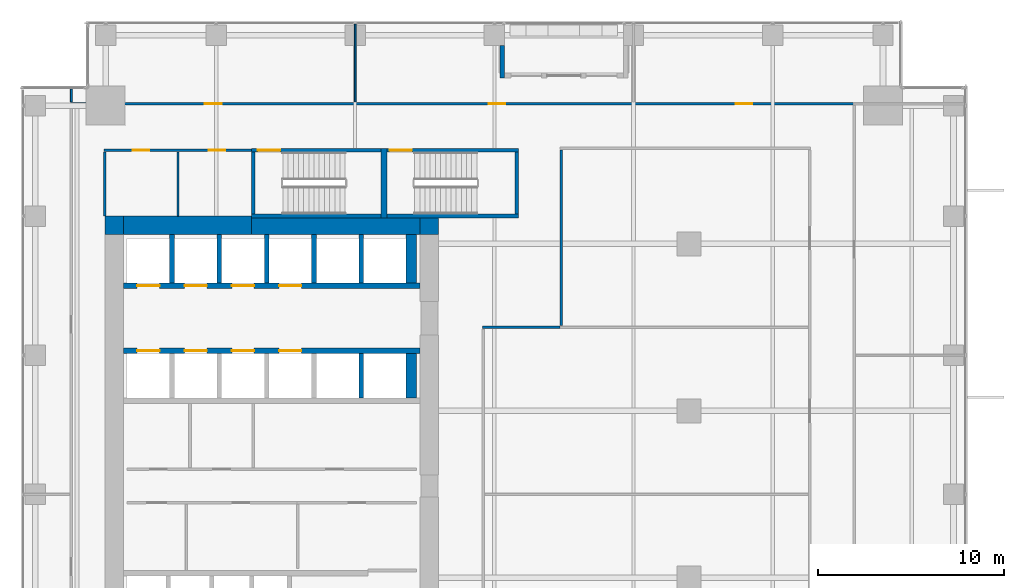
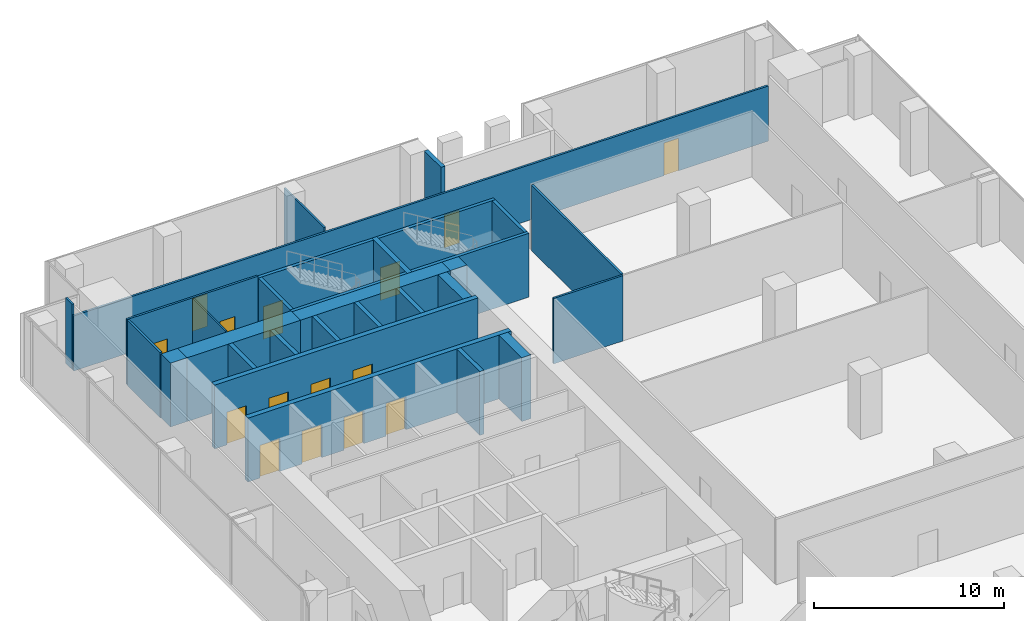
# One storey, part 30 of 34: 30 walls, 15 doors, 15 openings.
"""IFC4 building model written with IfcOpenShell, lengths in metres."""

from ifc_helpers import new_model, si_unit, direction, frame, frame_2d, origin, place, context, subcontext, project, spatial, rectangle, extrude, source, transform, mapped, material, layer, layer_set, type_object, element, fill, save


model = new_model("IFC4")

# Units and contexts
model_context = context("Model", 3, precision=1e-05, world=origin(), true_north=direction((0.0, 1.0)))
body_context = subcontext(model_context, "Body", "Model", "MODEL_VIEW")
ifc_project = project(units=[si_unit("LENGTHUNIT", "METRE"), si_unit("AREAUNIT", "SQUARE_METRE"), si_unit("VOLUMEUNIT", "CUBIC_METRE"), si_unit("PLANEANGLEUNIT", "RADIAN"), si_unit("MASSUNIT", "GRAM", prefix="KILO")], contexts=[model_context])

# Site, building, storey
site_placement = place(None, origin())
site = spatial("IfcSite", under=ifc_project, at=site_placement, CompositionType="ELEMENT")
building_placement = place(site_placement, origin())
building = spatial("IfcBuilding", under=site, at=building_placement, Name="Khomas Fold Tower", CompositionType="ELEMENT")
storey_placement = place(building_placement, frame((0.0, 0.0, 123.5)))
storey = spatial("IfcBuildingStorey", under=building, at=storey_placement, Name="L26", CompositionType="ELEMENT", Elevation=123.5)

# Walls
ifc_material_1 = material(Name="Concrete C70/85", Category="concrete")
ifc_layer_1 = layer(ifc_material_1, 1.0)
ifc_layer_set_1 = layer_set([ifc_layer_1], Name="Concrete C70/85")
wall_type_1 = type_object("IfcWallType", Name="Core wall 1000", PredefinedType="SHEAR", material=ifc_layer_set_1)
shared_shape_1 = source(origin(), body_context, "Body", "SweptSolid", [
    extrude(rectangle(XDim=6.89990234375, YDim=1.0, at=frame_2d((3.449951171875, 0.0))), origin(), (0.0, 0.0, 1.0), 4.10009765625),
])
wall_1_placement = place(storey_placement, frame((7.0, 41.5, 0.0), z_axis=(0.0, 0.0, 1.0), x_axis=(1.0, 0.0, 0.0)))
element("IfcWall", 1, at=wall_1_placement, inside=storey, type_object=wall_type_1, Name="Core wall CW-L-N-L21", PredefinedType="SHEAR", context=body_context, shape_type="MappedRepresentation", body=[
    mapped(shared_shape_1, transform((0.0, 0.0, 0.0))),
])
ifc_material_2 = material(Name="Concrete C70/85", Category="concrete")
ifc_layer_2 = layer(ifc_material_2, 0.89990234375)
ifc_layer_set_2 = layer_set([ifc_layer_2], Name="Concrete C70/85")
wall_type_2 = type_object("IfcWallType", Name="Core wall 900", PredefinedType="SHEAR", material=ifc_layer_set_2)
shared_shape_2 = source(origin(), body_context, "Body", "SweptSolid", [
    extrude(rectangle(XDim=9.10009765625, YDim=0.89990234375, at=frame_2d((4.550048828125, 0.0))), origin(), (0.0, 0.0, 1.0), 4.10009765625),
])
wall_2_placement = place(storey_placement, frame((13.89990234375, 41.449951171875, 0.0), z_axis=(0.0, 0.0, 1.0), x_axis=(1.0, 0.0, 0.0)))
element("IfcWall", 2, at=wall_2_placement, inside=storey, type_object=wall_type_2, Name="Core wall CW-L-N-L21-1", PredefinedType="SHEAR", context=body_context, shape_type="MappedRepresentation", body=[
    mapped(shared_shape_2, transform((0.0, 0.0, 0.0))),
])
ifc_material_3 = material(Name="Concrete C70/85", Category="concrete")
ifc_layer_3 = layer(ifc_material_3, 0.89990234375)
ifc_layer_set_3 = layer_set([ifc_layer_3], Name="Concrete C70/85")
wall_type_3 = type_object("IfcWallType", Name="Core corner wall 900", PredefinedType="SHEAR", material=ifc_layer_set_3)
shared_shape_3 = source(origin(), body_context, "Body", "SweptSolid", [
    extrude(rectangle(XDim=1.0, YDim=0.89990234375, at=frame_2d((0.5, 0.0))), origin(), (0.0, 0.0, 1.0), 4.10009765625),
])
wall_3_placement = place(storey_placement, frame((23.0, 41.449951171875, 0.0), z_axis=(0.0, 0.0, 1.0), x_axis=(1.0, 0.0, 0.0)))
element("IfcWall", 3, at=wall_3_placement, inside=storey, type_object=wall_type_3, Name="Core wall CW-L-NE-L21", PredefinedType="SHEAR", context=body_context, shape_type="MappedRepresentation", body=[
    mapped(shared_shape_3, transform((0.0, 0.0, 0.0))),
])
ifc_material_4 = material(Name="Concrete C70/85", Category="concrete")
ifc_layer_4 = layer(ifc_material_4, 1.0)
ifc_layer_set_4 = layer_set([ifc_layer_4], Name="Concrete C70/85")
wall_type_4 = type_object("IfcWallType", Name="Core corner wall 1000", PredefinedType="SHEAR", material=ifc_layer_set_4)
shared_shape_4 = source(origin(), body_context, "Body", "SweptSolid", [
    extrude(rectangle(XDim=1.0, YDim=1.0, at=frame_2d((0.5, 0.0))), origin(), (0.0, 0.0, 1.0), 4.10009765625),
])
wall_4_placement = place(storey_placement, frame((6.0, 41.5, 0.0), z_axis=(0.0, 0.0, 1.0), x_axis=(1.0, 0.0, 0.0)))
element("IfcWall", 4, at=wall_4_placement, inside=storey, type_object=wall_type_4, Name="Core wall CW-L-NW-L21", PredefinedType="SHEAR", context=body_context, shape_type="MappedRepresentation", body=[
    mapped(shared_shape_4, transform((0.0, 0.0, 0.0))),
])

# Wall, opening, door
ifc_material_5 = material(Name="Concrete C50/60", Category="concrete")
ifc_layer_5 = layer(ifc_material_5, 0.199951171875)
ifc_layer_set_5 = layer_set([ifc_layer_5], Name="Concrete C50/60")
wall_type_5 = type_object("IfcWallType", Name="Stair wall 200", PredefinedType="SHEAR", material=ifc_layer_set_5)
shared_shape_5 = source(origin(), body_context, "Body", "SweptSolid", [
    extrude(rectangle(XDim=7.0, YDim=0.199951171875, at=frame_2d((3.5, 0.0))), origin(), (0.0, 0.0, 1.0), 4.10009765625),
])
wall_5_placement = place(storey_placement, frame((13.89990234375, 45.550048828125, 0.0), z_axis=(0.0, 0.0, 1.0), x_axis=(1.0, 0.0, 0.0)))
wall_5 = element("IfcWall", 5, at=wall_5_placement, inside=storey, type_object=wall_type_5, Name="Stair wall SW-ST1-N", PredefinedType="SHEAR", context=body_context, shape_type="MappedRepresentation", body=[
    mapped(shared_shape_5, transform((0.0, 0.0, 0.0))),
])
shared_shape_6 = source(origin(), body_context, "Body", "SweptSolid", [
    extrude(rectangle(XDim=1.199951171875, YDim=2.10009765625, at=frame_2d((0.60009765625, 1.050048828125))), frame((0.0, 0.10986328125, 0.0), z_axis=(0.0, -1.0, 0.0), x_axis=(1.0, 0.0, 0.0)), (0.0, 0.0, 1.0), 0.219970703125),
])
opening_1_placement = place(wall_5_placement, frame((0.35009765625, 0.0, 0.0)))
opening_1 = element("IfcOpeningElement", 6, at=opening_1_placement, cuts=wall_5, Name="Opening SD-ST1", PredefinedType="OPENING", context=body_context, shape_type="MappedRepresentation", body=[
    mapped(shared_shape_6, transform((0.0, 0.0, 0.0))),
])
ifc_material_6 = material(Name="Steel door leaf", Category="steel")
door_type_1 = type_object("IfcDoorType", Name="Stair door 1200x2100 left-hand", OperationType="SINGLE_SWING_LEFT", PredefinedType="DOOR", material=ifc_material_6)
shared_shape_7 = source(origin(), body_context, "Body", "SweptSolid", [
    extrude(rectangle(XDim=1.199951171875, YDim=2.10009765625, at=frame_2d((0.60009765625, 1.050048828125))), frame((0.0, 0.02490234375, 0.0), z_axis=(0.0, -1.0, 0.0), x_axis=(1.0, 0.0, 0.0)), (0.0, 0.0, 1.0), 0.050048828125),
])
door_1_placement = place(opening_1_placement, origin())
door_1 = element("IfcDoor", 7, at=door_1_placement, inside=storey, type_object=door_type_1, Name="Stair door", OperationType="SINGLE_SWING_LEFT", OverallHeight=2.10009765625, OverallWidth=1.199951171875, PredefinedType="DOOR", context=body_context, shape_type="MappedRepresentation", body=[
    mapped(shared_shape_7, transform((0.0, 0.0, 0.0))),
])
fill(opening_1, door_1)

# Wall
wall_6_placement = place(storey_placement, frame((13.89990234375, 42.0, 0.0), z_axis=(0.0, 0.0, 1.0), x_axis=(1.0, 0.0, 0.0)))
element("IfcWall", 8, at=wall_6_placement, inside=storey, type_object=wall_type_5, Name="Stair wall SW-ST1-S", PredefinedType="SHEAR", context=body_context, shape_type="MappedRepresentation", body=[
    mapped(shared_shape_5, transform((0.0, 0.0, 0.0))),
])

# Wall, opening, door
shared_shape_8 = source(origin(), body_context, "Body", "SweptSolid", [
    extrude(rectangle(XDim=7.10009765625, YDim=0.199951171875, at=frame_2d((3.550048828125, 0.0))), origin(), (0.0, 0.0, 1.0), 4.10009765625),
])
wall_7_placement = place(storey_placement, frame((21.199951171875, 45.550048828125, 0.0), z_axis=(0.0, 0.0, 1.0), x_axis=(1.0, 0.0, 0.0)))
wall_7 = element("IfcWall", 9, at=wall_7_placement, inside=storey, type_object=wall_type_5, Name="Stair wall SW-ST3-N", PredefinedType="SHEAR", context=body_context, shape_type="MappedRepresentation", body=[
    mapped(shared_shape_8, transform((0.0, 0.0, 0.0))),
])
opening_2_placement = place(wall_7_placement, frame((0.14990234375, 0.0, 0.0)))
opening_2 = element("IfcOpeningElement", 10, at=opening_2_placement, cuts=wall_7, Name="Opening SD-ST3", PredefinedType="OPENING", context=body_context, shape_type="MappedRepresentation", body=[
    mapped(shared_shape_6, transform((0.0, 0.0, 0.0))),
])
door_2_placement = place(opening_2_placement, origin())
door_2 = element("IfcDoor", 11, at=door_2_placement, inside=storey, type_object=door_type_1, Name="Stair door", OperationType="SINGLE_SWING_LEFT", OverallHeight=2.10009765625, OverallWidth=1.199951171875, PredefinedType="DOOR", context=body_context, shape_type="MappedRepresentation", body=[
    mapped(shared_shape_7, transform((0.0, 0.0, 0.0))),
])
fill(opening_2, door_2)

# Walls
wall_8_placement = place(storey_placement, frame((21.199951171875, 42.0, 0.0), z_axis=(0.0, 0.0, 1.0), x_axis=(1.0, 0.0, 0.0)))
element("IfcWall", 12, at=wall_8_placement, inside=storey, type_object=wall_type_5, Name="Stair wall SW-ST3-S", PredefinedType="SHEAR", context=body_context, shape_type="MappedRepresentation", body=[
    mapped(shared_shape_8, transform((0.0, 0.0, 0.0))),
])
ifc_material_7 = material(Name="Concrete C50/60", Category="concrete")
ifc_layer_6 = layer(ifc_material_7, 0.300048828125)
ifc_layer_set_6 = layer_set([ifc_layer_6], Name="Concrete C50/60")
wall_type_6 = type_object("IfcWallType", Name="Stair wall 300", PredefinedType="SHEAR", material=ifc_layer_set_6)
shared_shape_9 = source(origin(), body_context, "Body", "SweptSolid", [
    extrude(rectangle(XDim=3.75, YDim=0.300048828125, at=frame_2d((1.875, 0.0))), origin(), (0.0, 0.0, 1.0), 4.10009765625),
])
wall_9_placement = place(storey_placement, frame((21.050048828125, 41.89990234375, 0.0), z_axis=(0.0, 0.0, 1.0), x_axis=(0.0, 1.0, 0.0)))
element("IfcWall", 13, at=wall_9_placement, inside=storey, type_object=wall_type_6, Name="Stair wall SW-ST1-E", PredefinedType="SHEAR", context=body_context, shape_type="MappedRepresentation", body=[
    mapped(shared_shape_9, transform((0.0, 0.0, 0.0))),
])
shared_shape_10 = source(origin(), body_context, "Body", "SweptSolid", [
    extrude(rectangle(XDim=3.349853515625, YDim=0.199951171875, at=frame_2d((1.6748046875, 0.0))), origin(), (0.0, 0.0, 1.0), 4.10009765625),
])
for number, where, z_axis, x_axis, name in (
    (14, (14.0, 42.10009765625, 0.0), (0.0, 0.0, 1.0), (0.0, 1.0, 0.0), "Stair wall SW-ST1-W"),
    (15, (28.199951171875, 42.10009765625, 0.0), (0.0, 0.0, 1.0), (0.0, 1.0, 0.0), "Stair wall SW-ST3-E"),
):
    element("IfcWall", number, at=place(storey_placement, frame(where, z_axis=z_axis, x_axis=x_axis)), inside=storey, type_object=wall_type_5, Name=name, PredefinedType="SHEAR", context=body_context, shape_type="MappedRepresentation", body=[
        mapped(shared_shape_10, transform((0.0, 0.0, 0.0))),
    ])

# Wall, openings, doors
ifc_material_8 = material(Name="Concrete C50/60", Category="concrete")
ifc_layer_7 = layer(ifc_material_8, 0.300048828125)
ifc_layer_set_7 = layer_set([ifc_layer_7], Name="Concrete C50/60")
wall_type_7 = type_object("IfcWallType", Name="Shaft wall 300", PredefinedType="STANDARD", material=ifc_layer_set_7)
shared_shape_11 = source(origin(), body_context, "Body", "SweptSolid", [
    extrude(rectangle(XDim=16.0, YDim=0.300048828125, at=frame_2d((8.0, 0.0))), origin(), (0.0, 0.0, 1.0), 4.10009765625),
])
wall_10_placement = place(storey_placement, frame((7.0, 38.25, 0.0), z_axis=(0.0, 0.0, 1.0), x_axis=(1.0, 0.0, 0.0)))
wall_10 = element("IfcWall", 16, at=wall_10_placement, inside=storey, type_object=wall_type_7, Name="Core wall SW-LRN-F", PredefinedType="STANDARD", context=body_context, shape_type="MappedRepresentation", body=[
    mapped(shared_shape_11, transform((0.0, 0.0, 0.0))),
])
shared_shape_12 = source(origin(), body_context, "Body", "SweptSolid", [
    extrude(rectangle(XDim=1.199951171875, YDim=2.10009765625, at=frame_2d((0.60009765625, 1.050048828125))), frame((0.0, 0.159912109375, 0.0), z_axis=(0.0, -1.0, 0.0), x_axis=(1.0, 0.0, 0.0)), (0.0, 0.0, 1.0), 0.320068359375),
])
opening_3_placement = place(wall_10_placement, frame((0.75, 0.0, 0.0)))
opening_3 = element("IfcOpeningElement", 17, at=opening_3_placement, cuts=wall_10, Name="Opening LD-LR5", PredefinedType="OPENING", context=body_context, shape_type="MappedRepresentation", body=[
    mapped(shared_shape_12, transform((0.0, 0.0, 0.0))),
])
opening_4_placement = place(wall_10_placement, frame((3.300048828125, 0.0, 0.0)))
opening_4 = element("IfcOpeningElement", 18, at=opening_4_placement, cuts=wall_10, Name="Opening LD-LR6", PredefinedType="OPENING", context=body_context, shape_type="MappedRepresentation", body=[
    mapped(shared_shape_12, transform((0.0, 0.0, 0.0))),
])
opening_5_placement = place(wall_10_placement, frame((5.85009765625, 0.0, 0.0)))
opening_5 = element("IfcOpeningElement", 19, at=opening_5_placement, cuts=wall_10, Name="Opening LD-LR7", PredefinedType="OPENING", context=body_context, shape_type="MappedRepresentation", body=[
    mapped(shared_shape_12, transform((0.0, 0.0, 0.0))),
])
opening_6_placement = place(wall_10_placement, frame((8.39990234375, 0.0, 0.0)))
opening_6 = element("IfcOpeningElement", 20, at=opening_6_placement, cuts=wall_10, Name="Opening LD-LR8", PredefinedType="OPENING", context=body_context, shape_type="MappedRepresentation", body=[
    mapped(shared_shape_12, transform((0.0, 0.0, 0.0))),
])
ifc_material_9 = material(Name="Steel door leaf", Category="steel")
door_type_2 = type_object("IfcDoorType", Name="Landing door 1200x2100", OperationType="DOUBLE_DOOR_SLIDING", PredefinedType="DOOR", material=ifc_material_9)
door_3_placement = place(opening_3_placement, origin())
door_3 = element("IfcDoor", 21, at=door_3_placement, inside=storey, type_object=door_type_2, Name="Lift landing door", OperationType="DOUBLE_DOOR_SLIDING", OverallHeight=2.10009765625, OverallWidth=1.199951171875, PredefinedType="DOOR", context=body_context, shape_type="MappedRepresentation", body=[
    mapped(shared_shape_7, transform((0.0, 0.0, 0.0))),
])
fill(opening_3, door_3)
door_4_placement = place(opening_4_placement, origin())
door_4 = element("IfcDoor", 22, at=door_4_placement, inside=storey, type_object=door_type_2, Name="Lift landing door", OperationType="DOUBLE_DOOR_SLIDING", OverallHeight=2.10009765625, OverallWidth=1.199951171875, PredefinedType="DOOR", context=body_context, shape_type="MappedRepresentation", body=[
    mapped(shared_shape_7, transform((0.0, 0.0, 0.0))),
])
fill(opening_4, door_4)
door_5_placement = place(opening_5_placement, origin())
door_5 = element("IfcDoor", 23, at=door_5_placement, inside=storey, type_object=door_type_2, Name="Lift landing door", OperationType="DOUBLE_DOOR_SLIDING", OverallHeight=2.10009765625, OverallWidth=1.199951171875, PredefinedType="DOOR", context=body_context, shape_type="MappedRepresentation", body=[
    mapped(shared_shape_7, transform((0.0, 0.0, 0.0))),
])
fill(opening_5, door_5)
door_6_placement = place(opening_6_placement, origin())
door_6 = element("IfcDoor", 24, at=door_6_placement, inside=storey, type_object=door_type_2, Name="Lift landing door", OperationType="DOUBLE_DOOR_SLIDING", OverallHeight=2.10009765625, OverallWidth=1.199951171875, PredefinedType="DOOR", context=body_context, shape_type="MappedRepresentation", body=[
    mapped(shared_shape_7, transform((0.0, 0.0, 0.0))),
])
fill(opening_6, door_6)

wall_11_placement = place(storey_placement, frame((7.0, 34.75, 0.0), z_axis=(0.0, 0.0, 1.0), x_axis=(1.0, 0.0, 0.0)))
wall_11 = element("IfcWall", 25, at=wall_11_placement, inside=storey, type_object=wall_type_7, Name="Core wall SW-LRS-F", PredefinedType="STANDARD", context=body_context, shape_type="MappedRepresentation", body=[
    mapped(shared_shape_11, transform((0.0, 0.0, 0.0))),
])
opening_7_placement = place(wall_11_placement, frame((0.75, 0.0, 0.0)))
opening_7 = element("IfcOpeningElement", 26, at=opening_7_placement, cuts=wall_11, Name="Opening LD-LR1", PredefinedType="OPENING", context=body_context, shape_type="MappedRepresentation", body=[
    mapped(shared_shape_12, transform((0.0, 0.0, 0.0))),
])
opening_8_placement = place(wall_11_placement, frame((3.300048828125, 0.0, 0.0)))
opening_8 = element("IfcOpeningElement", 27, at=opening_8_placement, cuts=wall_11, Name="Opening LD-LR2", PredefinedType="OPENING", context=body_context, shape_type="MappedRepresentation", body=[
    mapped(shared_shape_12, transform((0.0, 0.0, 0.0))),
])
opening_9_placement = place(wall_11_placement, frame((5.85009765625, 0.0, 0.0)))
opening_9 = element("IfcOpeningElement", 28, at=opening_9_placement, cuts=wall_11, Name="Opening LD-LR3", PredefinedType="OPENING", context=body_context, shape_type="MappedRepresentation", body=[
    mapped(shared_shape_12, transform((0.0, 0.0, 0.0))),
])
opening_10_placement = place(wall_11_placement, frame((8.39990234375, 0.0, 0.0)))
opening_10 = element("IfcOpeningElement", 29, at=opening_10_placement, cuts=wall_11, Name="Opening LD-LR4", PredefinedType="OPENING", context=body_context, shape_type="MappedRepresentation", body=[
    mapped(shared_shape_12, transform((0.0, 0.0, 0.0))),
])
door_7_placement = place(opening_7_placement, origin())
door_7 = element("IfcDoor", 30, at=door_7_placement, inside=storey, type_object=door_type_2, Name="Lift landing door", OperationType="DOUBLE_DOOR_SLIDING", OverallHeight=2.10009765625, OverallWidth=1.199951171875, PredefinedType="DOOR", context=body_context, shape_type="MappedRepresentation", body=[
    mapped(shared_shape_7, transform((0.0, 0.0, 0.0))),
])
fill(opening_7, door_7)
door_8_placement = place(opening_8_placement, origin())
door_8 = element("IfcDoor", 31, at=door_8_placement, inside=storey, type_object=door_type_2, Name="Lift landing door", OperationType="DOUBLE_DOOR_SLIDING", OverallHeight=2.10009765625, OverallWidth=1.199951171875, PredefinedType="DOOR", context=body_context, shape_type="MappedRepresentation", body=[
    mapped(shared_shape_7, transform((0.0, 0.0, 0.0))),
])
fill(opening_8, door_8)
door_9_placement = place(opening_9_placement, origin())
door_9 = element("IfcDoor", 32, at=door_9_placement, inside=storey, type_object=door_type_2, Name="Lift landing door", OperationType="DOUBLE_DOOR_SLIDING", OverallHeight=2.10009765625, OverallWidth=1.199951171875, PredefinedType="DOOR", context=body_context, shape_type="MappedRepresentation", body=[
    mapped(shared_shape_7, transform((0.0, 0.0, 0.0))),
])
fill(opening_9, door_9)
door_10_placement = place(opening_10_placement, origin())
door_10 = element("IfcDoor", 33, at=door_10_placement, inside=storey, type_object=door_type_2, Name="Lift landing door", OperationType="DOUBLE_DOOR_SLIDING", OverallHeight=2.10009765625, OverallWidth=1.199951171875, PredefinedType="DOOR", context=body_context, shape_type="MappedRepresentation", body=[
    mapped(shared_shape_7, transform((0.0, 0.0, 0.0))),
])
fill(opening_10, door_10)

# Walls
ifc_material_10 = material(Name="Concrete C50/60", Category="concrete")
ifc_layer_8 = layer(ifc_material_10, 0.25)
ifc_layer_set_8 = layer_set([ifc_layer_8], Name="Concrete C50/60")
wall_type_8 = type_object("IfcWallType", Name="Shaft wall 250", PredefinedType="STANDARD", material=ifc_layer_set_8)
shared_shape_13 = source(origin(), body_context, "Body", "SweptSolid", [
    extrude(rectangle(XDim=2.60009765625, YDim=0.25, at=frame_2d((1.300048828125, 0.0))), origin(), (0.0, 0.0, 1.0), 4.10009765625),
])
for number, where, z_axis, x_axis, name in (
    (34, (9.625, 38.39990234375, 0.0), (0.0, 0.0, 1.0), (0.0, 1.0, 0.0), "Core wall SW-LRN-P1"),
    (35, (12.175048828125, 38.39990234375, 0.0), (0.0, 0.0, 1.0), (0.0, 1.0, 0.0), "Core wall SW-LRN-P2"),
    (36, (14.72509765625, 38.39990234375, 0.0), (0.0, 0.0, 1.0), (0.0, 1.0, 0.0), "Core wall SW-LRN-P3"),
    (37, (17.27490234375, 38.39990234375, 0.0), (0.0, 0.0, 1.0), (0.0, 1.0, 0.0), "Core wall SW-LRN-P4"),
    (38, (19.824951171875, 38.39990234375, 0.0), (0.0, 0.0, 1.0), (0.0, 1.0, 0.0), "Core wall SW-LRN-P5"),
):
    element("IfcWall", number, at=place(storey_placement, frame(where, z_axis=z_axis, x_axis=x_axis)), inside=storey, type_object=wall_type_8, Name=name, PredefinedType="STANDARD", context=body_context, shape_type="MappedRepresentation", body=[
        mapped(shared_shape_13, transform((0.0, 0.0, 0.0))),
    ])
ifc_material_11 = material(Name="Concrete C50/60", Category="concrete")
ifc_layer_9 = layer(ifc_material_11, 0.550048828125)
ifc_layer_set_9 = layer_set([ifc_layer_9], Name="Concrete C50/60")
wall_type_9 = type_object("IfcWallType", Name="Shaft wall 550", PredefinedType="STANDARD", material=ifc_layer_set_9)
shared_shape_14 = source(origin(), body_context, "Body", "SweptSolid", [
    extrude(rectangle(XDim=2.60009765625, YDim=0.550048828125, at=frame_2d((1.300048828125, 0.0))), origin(), (0.0, 0.0, 1.0), 4.10009765625),
])
wall_12_placement = place(storey_placement, frame((22.52490234375, 38.39990234375, 0.0), z_axis=(0.0, 0.0, 1.0), x_axis=(0.0, 1.0, 0.0)))
element("IfcWall", 39, at=wall_12_placement, inside=storey, type_object=wall_type_9, Name="Core wall SW-LRN-PE", PredefinedType="STANDARD", context=body_context, shape_type="MappedRepresentation", body=[
    mapped(shared_shape_14, transform((0.0, 0.0, 0.0))),
])
shared_shape_15 = source(origin(), body_context, "Body", "SweptSolid", [
    extrude(rectangle(XDim=2.400146484375, YDim=0.25, at=frame_2d((1.2001953125, 0.0))), origin(), (0.0, 0.0, 1.0), 4.10009765625),
])
wall_13_placement = place(storey_placement, frame((19.824951171875, 32.199951171875, 0.0), z_axis=(0.0, 0.0, 1.0), x_axis=(0.0, 1.0, 0.0)))
element("IfcWall", 40, at=wall_13_placement, inside=storey, type_object=wall_type_8, Name="Core wall SW-LRS-P5", PredefinedType="STANDARD", context=body_context, shape_type="MappedRepresentation", body=[
    mapped(shared_shape_15, transform((0.0, 0.0, 0.0))),
])
shared_shape_16 = source(origin(), body_context, "Body", "SweptSolid", [
    extrude(rectangle(XDim=2.400146484375, YDim=0.550048828125, at=frame_2d((1.2001953125, 0.0))), origin(), (0.0, 0.0, 1.0), 4.10009765625),
])
wall_14_placement = place(storey_placement, frame((22.52490234375, 32.199951171875, 0.0), z_axis=(0.0, 0.0, 1.0), x_axis=(0.0, 1.0, 0.0)))
element("IfcWall", 41, at=wall_14_placement, inside=storey, type_object=wall_type_9, Name="Core wall SW-LRS-PE", PredefinedType="STANDARD", context=body_context, shape_type="MappedRepresentation", body=[
    mapped(shared_shape_16, transform((0.0, 0.0, 0.0))),
])
ifc_material_12 = material(Name="Natural stone", Category="masonry")
ifc_layer_10 = layer(ifc_material_12, 0.0400390625)
ifc_material_13 = material(Name="Mineral wool insulation", Category="insulation")
ifc_layer_11 = layer(ifc_material_13, 0.10009765625)
ifc_material_14 = material(Name="Masonry", Category="masonry")
ifc_layer_12 = layer(ifc_material_14, 0.110107421875)
ifc_layer_set_10 = layer_set([ifc_layer_10, ifc_layer_11, ifc_layer_12], Name="Stone-faced insulated masonry")
wall_type_10 = type_object("IfcWallType", Name="BL-Balcony wall", PredefinedType="SOLIDWALL", material=ifc_layer_set_10)
shared_shape_17 = source(origin(), body_context, "Body", "SweptSolid", [
    extrude(rectangle(XDim=1.75, YDim=0.25, at=frame_2d((0.875, 0.0))), origin(), (0.0, 0.0, 1.0), 4.10009765625),
])
wall_15_placement = place(storey_placement, frame((27.425048828125, 51.199951171875, 0.0), z_axis=(0.0, 0.0, 1.0), x_axis=(0.0, -1.0, 0.0)))
element("IfcWall", 42, at=wall_15_placement, inside=storey, type_object=wall_type_10, Name="Balcony return wall BAL-L26-N3-lo", PredefinedType="SOLIDWALL", context=body_context, shape_type="MappedRepresentation", body=[
    mapped(shared_shape_17, transform((0.0, 0.0, 0.0))),
])

# Wall, openings, doors
ifc_material_15 = material(Name="Plasterboard partition")
ifc_layer_13 = layer(ifc_material_15, 0.125)
ifc_layer_set_11 = layer_set([ifc_layer_13], Name="Plasterboard partition")
wall_type_11 = type_object("IfcWallType", Name="Partition PW2 125", PredefinedType="PARTITIONING", material=ifc_layer_set_11)
shared_shape_18 = source(origin(), body_context, "Body", "SweptSolid", [
    extrude(rectangle(XDim=7.949951171875, YDim=0.125, at=frame_2d((3.97509765625, 0.0))), origin(), (0.0, 0.0, 1.0), 4.199951171875),
])
wall_16_placement = place(storey_placement, frame((5.949951171875, 45.550048828125, 0.0), z_axis=(0.0, 0.0, 1.0), x_axis=(1.0, 0.0, 0.0)))
wall_16 = element("IfcWall", 43, at=wall_16_placement, inside=storey, type_object=wall_type_11, Name="Partition", PredefinedType="PARTITIONING", context=body_context, shape_type="MappedRepresentation", body=[
    mapped(shared_shape_18, transform((0.0, 0.0, 0.0))),
])
shared_shape_19 = source(origin(), body_context, "Body", "SweptSolid", [
    extrude(rectangle(XDim=0.89990234375, YDim=2.10009765625, at=frame_2d((0.449951171875, 1.050048828125))), frame((0.0, 0.072509765625, 0.0), z_axis=(0.0, -1.0, 0.0), x_axis=(1.0, 0.0, 0.0)), (0.0, 0.0, 1.0), 0.14501953125),
])
opening_11_placement = place(wall_16_placement, frame((1.550048828125, 0.0, 0.0)))
opening_11 = element("IfcOpeningElement", 44, at=opening_11_placement, cuts=wall_16, Name="Opening 0005", PredefinedType="OPENING", context=body_context, shape_type="MappedRepresentation", body=[
    mapped(shared_shape_19, transform((0.0, 0.0, 0.0))),
])
opening_12_placement = place(wall_16_placement, frame((5.64990234375, 0.0, 0.0)))
opening_12 = element("IfcOpeningElement", 45, at=opening_12_placement, cuts=wall_16, Name="Opening 0004", PredefinedType="OPENING", context=body_context, shape_type="MappedRepresentation", body=[
    mapped(shared_shape_19, transform((0.0, 0.0, 0.0))),
])
ifc_material_16 = material(Name="Timber door leaf", Category="wood")
door_type_3 = type_object("IfcDoorType", Name="WC door 900x2100 left-hand", OperationType="SINGLE_SWING_LEFT", PredefinedType="DOOR", material=ifc_material_16)
shared_shape_20 = source(origin(), body_context, "Body", "SweptSolid", [
    extrude(rectangle(XDim=0.89990234375, YDim=2.10009765625, at=frame_2d((0.449951171875, 1.050048828125))), frame((0.0, 0.02490234375, 0.0), z_axis=(0.0, -1.0, 0.0), x_axis=(1.0, 0.0, 0.0)), (0.0, 0.0, 1.0), 0.050048828125),
])
door_11_placement = place(opening_11_placement, origin())
door_11 = element("IfcDoor", 46, at=door_11_placement, inside=storey, type_object=door_type_3, Name="WC door", OperationType="SINGLE_SWING_LEFT", OverallHeight=2.10009765625, OverallWidth=0.89990234375, PredefinedType="DOOR", context=body_context, shape_type="MappedRepresentation", body=[
    mapped(shared_shape_20, transform((0.0, 0.0, 0.0))),
])
fill(opening_11, door_11)
ifc_material_17 = material(Name="Timber door leaf", Category="wood")
door_type_4 = type_object("IfcDoorType", Name="WC door 900x2100 right-hand", OperationType="SINGLE_SWING_RIGHT", PredefinedType="DOOR", material=ifc_material_17)
door_12_placement = place(opening_12_placement, origin())
door_12 = element("IfcDoor", 47, at=door_12_placement, inside=storey, type_object=door_type_4, Name="WC door", OperationType="SINGLE_SWING_RIGHT", OverallHeight=2.10009765625, OverallWidth=0.89990234375, PredefinedType="DOOR", context=body_context, shape_type="MappedRepresentation", body=[
    mapped(shared_shape_20, transform((0.0, 0.0, 0.0))),
])
fill(opening_12, door_12)

# Walls
shared_shape_21 = source(origin(), body_context, "Body", "SweptSolid", [
    extrude(rectangle(XDim=4.199951171875, YDim=0.125, at=frame_2d((2.10009765625, 0.0))), origin(), (0.0, 0.0, 1.0), 4.199951171875),
])
wall_17_placement = place(storey_placement, frame((26.35009765625, 36.0, 0.0), z_axis=(0.0, 0.0, 1.0), x_axis=(1.0, 0.0, 0.0)))
element("IfcWall", 48, at=wall_17_placement, inside=storey, type_object=wall_type_11, Name="Partition", PredefinedType="PARTITIONING", context=body_context, shape_type="MappedRepresentation", body=[
    mapped(shared_shape_21, transform((0.0, 0.0, 0.0))),
])
shared_shape_22 = source(origin(), body_context, "Body", "SweptSolid", [
    extrude(rectangle(XDim=9.449951171875, YDim=0.125, at=frame_2d((4.72509765625, 0.0))), origin(), (0.0, 0.0, 1.0), 4.199951171875),
])
wall_18_placement = place(storey_placement, frame((30.60009765625, 36.10009765625, 0.0), z_axis=(0.0, 0.0, 1.0), x_axis=(0.0, 1.0, 0.0)))
element("IfcWall", 49, at=wall_18_placement, inside=storey, type_object=wall_type_11, Name="Partition", PredefinedType="PARTITIONING", context=body_context, shape_type="MappedRepresentation", body=[
    mapped(shared_shape_22, transform((0.0, 0.0, 0.0))),
])
shared_shape_23 = source(origin(), body_context, "Body", "SweptSolid", [
    extrude(rectangle(XDim=3.449951171875, YDim=0.125, at=frame_2d((1.72509765625, 0.0))), origin(), (0.0, 0.0, 1.0), 4.199951171875),
])
wall_19_placement = place(storey_placement, frame((6.0, 42.0, 0.0), z_axis=(0.0, 0.0, 1.0), x_axis=(0.0, 1.0, 0.0)))
element("IfcWall", 50, at=wall_19_placement, inside=storey, type_object=wall_type_11, Name="Partition", PredefinedType="PARTITIONING", context=body_context, shape_type="MappedRepresentation", body=[
    mapped(shared_shape_23, transform((0.0, 0.0, 0.0))),
])
ifc_material_18 = material(Name="Plasterboard partition")
ifc_layer_14 = layer(ifc_material_18, 0.10009765625)
ifc_layer_set_12 = layer_set([ifc_layer_14], Name="Plasterboard partition")
wall_type_12 = type_object("IfcWallType", Name="Partition PW1 100", PredefinedType="PARTITIONING", material=ifc_layer_set_12)
shared_shape_24 = source(origin(), body_context, "Body", "SweptSolid", [
    extrude(rectangle(XDim=3.449951171875, YDim=0.10009765625, at=frame_2d((1.72509765625, 0.0))), origin(), (0.0, 0.0, 1.0), 4.199951171875),
])
wall_20_placement = place(storey_placement, frame((9.949951171875, 42.0, 0.0), z_axis=(0.0, 0.0, 1.0), x_axis=(0.0, 1.0, 0.0)))
element("IfcWall", 51, at=wall_20_placement, inside=storey, type_object=wall_type_12, Name="Partition", PredefinedType="PARTITIONING", context=body_context, shape_type="MappedRepresentation", body=[
    mapped(shared_shape_24, transform((0.0, 0.0, 0.0))),
])

# Wall, openings, doors
shared_shape_25 = source(origin(), body_context, "Body", "SweptSolid", [
    extrude(rectangle(XDim=42.2001953125, YDim=0.125, at=frame_2d((21.10009765625, 0.0))), origin(), (0.0, 0.0, 1.0), 3.550048828125),
])
wall_21_placement = place(storey_placement, frame((4.14990234375, 48.050048828125, 0.0), z_axis=(0.0, 0.0, 1.0), x_axis=(1.0, 0.0, 0.0)))
wall_21 = element("IfcWall", 52, at=wall_21_placement, inside=storey, type_object=wall_type_11, Name="Partition", PredefinedType="PARTITIONING", context=body_context, shape_type="MappedRepresentation", body=[
    mapped(shared_shape_25, transform((0.0, 0.0, 0.0))),
])
opening_13_placement = place(wall_21_placement, frame((7.25, 0.0, 0.0)))
opening_13 = element("IfcOpeningElement", 53, at=opening_13_placement, cuts=wall_21, Name="Opening 0007", PredefinedType="OPENING", context=body_context, shape_type="MappedRepresentation", body=[
    mapped(shared_shape_19, transform((0.0, 0.0, 0.0))),
])
opening_14_placement = place(wall_21_placement, frame((22.550048828125, 0.0, 0.0)))
opening_14 = element("IfcOpeningElement", 54, at=opening_14_placement, cuts=wall_21, Name="Opening 0007", PredefinedType="OPENING", context=body_context, shape_type="MappedRepresentation", body=[
    mapped(shared_shape_19, transform((0.0, 0.0, 0.0))),
])
opening_15_placement = place(wall_21_placement, frame((35.85009765625, 0.0, 0.0)))
opening_15 = element("IfcOpeningElement", 55, at=opening_15_placement, cuts=wall_21, Name="Opening 0007", PredefinedType="OPENING", context=body_context, shape_type="MappedRepresentation", body=[
    mapped(shared_shape_19, transform((0.0, 0.0, 0.0))),
])
ifc_material_19 = material(Name="Timber door leaf", Category="wood")
door_type_5 = type_object("IfcDoorType", Name="Door 900x2100 left-hand", OperationType="SINGLE_SWING_LEFT", PredefinedType="DOOR", material=ifc_material_19)
door_13_placement = place(opening_13_placement, origin())
door_13 = element("IfcDoor", 56, at=door_13_placement, inside=storey, type_object=door_type_5, Name="Door", OperationType="SINGLE_SWING_LEFT", OverallHeight=2.10009765625, OverallWidth=0.89990234375, PredefinedType="DOOR", context=body_context, shape_type="MappedRepresentation", body=[
    mapped(shared_shape_20, transform((0.0, 0.0, 0.0))),
])
fill(opening_13, door_13)
door_14_placement = place(opening_14_placement, origin())
door_14 = element("IfcDoor", 57, at=door_14_placement, inside=storey, type_object=door_type_5, Name="Door", OperationType="SINGLE_SWING_LEFT", OverallHeight=2.10009765625, OverallWidth=0.89990234375, PredefinedType="DOOR", context=body_context, shape_type="MappedRepresentation", body=[
    mapped(shared_shape_20, transform((0.0, 0.0, 0.0))),
])
fill(opening_14, door_14)
door_15_placement = place(opening_15_placement, origin())
door_15 = element("IfcDoor", 58, at=door_15_placement, inside=storey, type_object=door_type_5, Name="Door", OperationType="SINGLE_SWING_LEFT", OverallHeight=2.10009765625, OverallWidth=0.89990234375, PredefinedType="DOOR", context=body_context, shape_type="MappedRepresentation", body=[
    mapped(shared_shape_20, transform((0.0, 0.0, 0.0))),
])
fill(opening_15, door_15)

# Walls
shared_shape_26 = source(origin(), body_context, "Body", "SweptSolid", [
    extrude(rectangle(XDim=0.7001953125, YDim=0.10009765625, at=frame_2d((0.35009765625, 0.0))), origin(), (0.0, 0.0, 1.0), 4.199951171875),
])
wall_22_placement = place(storey_placement, frame((4.199951171875, 48.14990234375, 0.0), z_axis=(0.0, 0.0, 1.0), x_axis=(0.0, 1.0, 0.0)))
element("IfcWall", 59, at=wall_22_placement, inside=storey, type_object=wall_type_12, Name="Partition", PredefinedType="PARTITIONING", context=body_context, shape_type="MappedRepresentation", body=[
    mapped(shared_shape_26, transform((0.0, 0.0, 0.0))),
])
shared_shape_27 = source(origin(), body_context, "Body", "SweptSolid", [
    extrude(rectangle(XDim=4.2001953125, YDim=0.10009765625, at=frame_2d((2.10009765625, 0.0))), origin(), (0.0, 0.0, 1.0), 3.77001953125),
])
wall_23_placement = place(storey_placement, frame((19.5, 48.14990234375, 0.0), z_axis=(0.0, 0.0, 1.0), x_axis=(0.0, 1.0, 0.0)))
element("IfcWall", 60, at=wall_23_placement, inside=storey, type_object=wall_type_12, Name="Partition", PredefinedType="PARTITIONING", context=body_context, shape_type="MappedRepresentation", body=[
    mapped(shared_shape_27, transform((0.0, 0.0, 0.0))),
])

save(model, "model.ifc")
